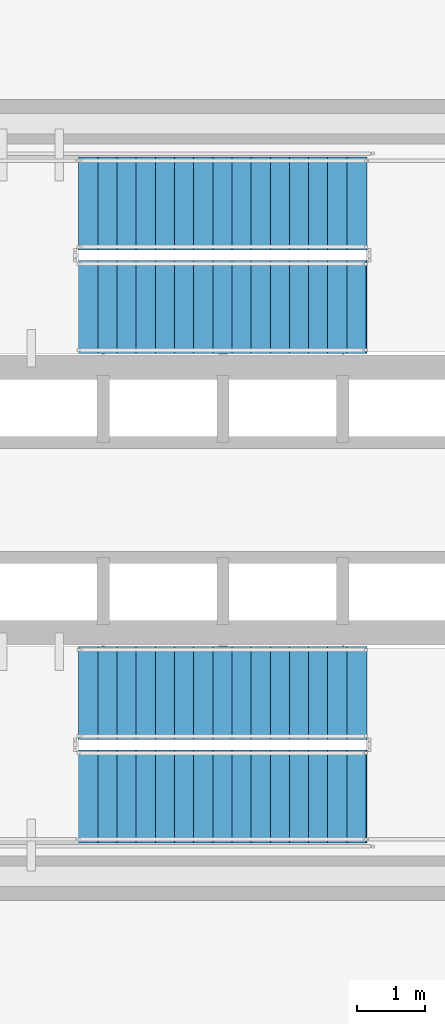
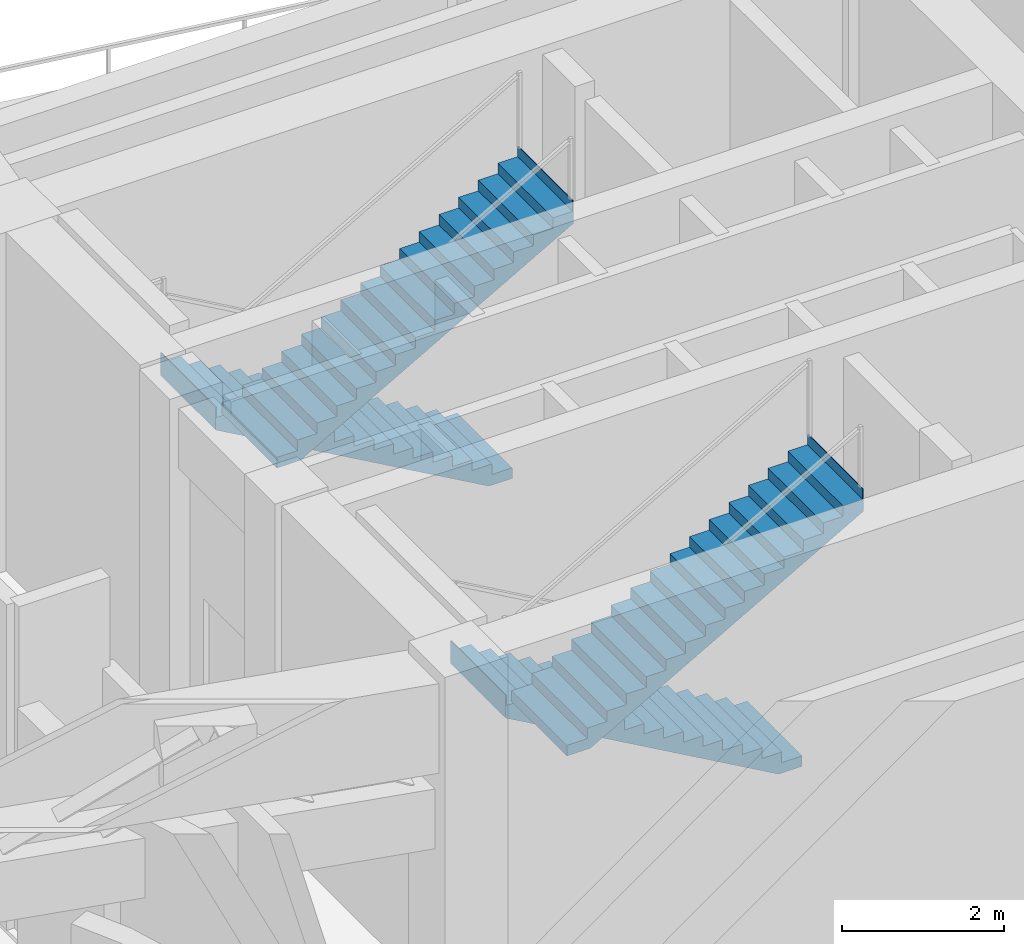
# One storey, part 5 of 8: 4 stair flights, 2 elements without a shape of their own.
"""IFC4 building model written with IfcOpenShell, lengths in metres."""

from ifc_helpers import new_model, si_unit, direction, frame, origin, place, context, subcontext, project, spatial, polyline, outline, extrude, material, type_object, element, aggregate, save


model = new_model("IFC4")

# Units and contexts
model_context = context("Model", 3, precision=1e-05, world=origin(), true_north=direction((0.0, 1.0)))
body_context = subcontext(model_context, "Body", "Model", "MODEL_VIEW")
ifc_project = project(units=[si_unit("LENGTHUNIT", "METRE"), si_unit("AREAUNIT", "SQUARE_METRE"), si_unit("VOLUMEUNIT", "CUBIC_METRE"), si_unit("PLANEANGLEUNIT", "RADIAN"), si_unit("MASSUNIT", "GRAM", prefix="KILO")], contexts=[model_context])

# Site, building, storey
site_placement = place(None, origin())
site = spatial("IfcSite", under=ifc_project, at=site_placement, CompositionType="ELEMENT")
building_placement = place(site_placement, origin())
building = spatial("IfcBuilding", under=site, at=building_placement, Name="Yunling Apex Tower", CompositionType="ELEMENT")
storey_placement = place(building_placement, frame((0.0, 0.0, 119.89990234375)))
storey = spatial("IfcBuildingStorey", under=building, at=storey_placement, Name="RF3", CompositionType="ELEMENT", Elevation=119.89990234375)

# Stair, stair flights
ifc_material = material(Name="Concrete C40", Category="concrete")
stair_type = type_object("IfcStairType", Name="ST-TWR-1", PredefinedType="HALF_TURN_STAIR", material=ifc_material)
stair_1_placement = place(storey_placement, origin())
stair_1 = element("IfcStair", 1, at=stair_1_placement, inside=storey, type_object=stair_type, Name="RF3 North Core Smokeproof Exit Stair ST-1", PredefinedType="HALF_TURN_STAIR")
stair_flight_type = type_object("IfcStairFlightType", Name="SFL-TWR-1", PredefinedType="STRAIGHT", material=ifc_material)
stair_flight_1_placement = place(storey_placement, frame((-0.010009765625, 4.330078125, 0.0), z_axis=(0.0, 0.0, 1.0), x_axis=(-1.0, 0.0, 0.0)))
stair_flight_1 = element("IfcStairFlight", 2, at=stair_flight_1_placement, type_object=stair_flight_type, Name="ST-1 flight 1", NumberOfRisers=16, NumberOfTreads=15, PredefinedType="STRAIGHT", RiserHeight=0.159375, TreadLength=0.28, context=body_context, shape_type="SweptSolid", body=[
    extrude(outline(polyline([(-0.011962890625, 0.0), (-0.011962890625, 0.159423828125), (0.0, 0.159423828125), (0.280029296875, 0.159423828125), (0.280029296875, 0.31884765625), (0.56005859375, 0.31884765625), (0.56005859375, 0.47802734375), (0.840087890625, 0.47802734375), (0.840087890625, 0.637451171875), (1.1201171875, 0.637451171875), (1.1201171875, 0.796875), (1.39990234375, 0.796875), (1.39990234375, 0.956298828125), (1.679931640625, 0.956298828125), (1.679931640625, 1.11572265625), (1.9599609375, 1.11572265625), (1.9599609375, 1.27490234375), (2.239990234375, 1.27490234375), (2.239990234375, 1.434326171875), (2.52001953125, 1.434326171875), (2.52001953125, 1.59375), (2.800048828125, 1.59375), (2.800048828125, 1.753173828125), (3.080078125, 1.753173828125), (3.080078125, 1.91259765625), (3.360107421875, 1.91259765625), (3.360107421875, 2.07177734375), (3.639892578125, 2.07177734375), (3.639892578125, 2.231201171875), (3.919921875, 2.231201171875), (3.919921875, 2.390625), (4.199951171875, 2.390625), (4.199951171875, 2.550048828125), (4.2119140625, 2.550048828125), (4.2119140625, 2.20654296875), (0.3232421875, 0.0), (-0.011962890625, 0.0)])), frame((0.0, 0.68017578125, 0.0), z_axis=(0.0, -1.0, 0.0), x_axis=(1.0, 0.0, 0.0)), (0.0, 0.0, 1.0), 1.360107421875),
])
stair_flight_2_placement = place(storey_placement, frame((-4.2099609375, 2.820068359375, 2.550048828125), z_axis=(0.0, 0.0, 1.0), x_axis=(1.0, 0.0, 0.0)))
stair_flight_2 = element("IfcStairFlight", 3, at=stair_flight_2_placement, type_object=stair_flight_type, Name="ST-1 flight 2", NumberOfRisers=16, NumberOfTreads=15, PredefinedType="STRAIGHT", RiserHeight=0.159375, TreadLength=0.28, context=body_context, shape_type="SweptSolid", body=[
    extrude(outline(polyline([(-0.011962890625, 0.0), (-0.011962890625, 0.159423828125), (0.0, 0.159423828125), (0.280029296875, 0.159423828125), (0.280029296875, 0.31884765625), (0.56005859375, 0.31884765625), (0.56005859375, 0.47802734375), (0.840087890625, 0.47802734375), (0.840087890625, 0.637451171875), (1.1201171875, 0.637451171875), (1.1201171875, 0.796875), (1.39990234375, 0.796875), (1.39990234375, 0.956298828125), (1.679931640625, 0.956298828125), (1.679931640625, 1.11572265625), (1.9599609375, 1.11572265625), (1.9599609375, 1.27490234375), (2.239990234375, 1.27490234375), (2.239990234375, 1.434326171875), (2.52001953125, 1.434326171875), (2.52001953125, 1.59375), (2.800048828125, 1.59375), (2.800048828125, 1.753173828125), (3.080078125, 1.753173828125), (3.080078125, 1.91259765625), (3.360107421875, 1.91259765625), (3.360107421875, 2.07177734375), (3.639892578125, 2.07177734375), (3.639892578125, 2.231201171875), (3.919921875, 2.231201171875), (3.919921875, 2.390625), (4.199951171875, 2.390625), (4.199951171875, 2.550048828125), (4.2119140625, 2.550048828125), (4.2119140625, 2.20654296875), (0.3232421875, 0.0), (-0.011962890625, 0.0)])), frame((0.0, 0.68017578125, 0.0), z_axis=(0.0, -1.0, 0.0), x_axis=(1.0, 0.0, 0.0)), (0.0, 0.0, 1.0), 1.360107421875),
])
aggregate(stair_1, [stair_flight_1, stair_flight_2])

stair_2_placement = place(storey_placement, origin())
stair_2 = element("IfcStair", 4, at=stair_2_placement, inside=storey, type_object=stair_type, Name="RF3 South Core Smokeproof Exit Stair ST-2", PredefinedType="HALF_TURN_STAIR")
stair_flight_3_placement = place(storey_placement, frame((-0.010009765625, -2.820068359375, 0.0), z_axis=(0.0, 0.0, 1.0), x_axis=(-1.0, 0.0, 0.0)))
stair_flight_3 = element("IfcStairFlight", 5, at=stair_flight_3_placement, type_object=stair_flight_type, Name="ST-2 flight 1", NumberOfRisers=16, NumberOfTreads=15, PredefinedType="STRAIGHT", RiserHeight=0.159375, TreadLength=0.28, context=body_context, shape_type="SweptSolid", body=[
    extrude(outline(polyline([(-0.011962890625, 0.0), (-0.011962890625, 0.159423828125), (0.0, 0.159423828125), (0.280029296875, 0.159423828125), (0.280029296875, 0.31884765625), (0.56005859375, 0.31884765625), (0.56005859375, 0.47802734375), (0.840087890625, 0.47802734375), (0.840087890625, 0.637451171875), (1.1201171875, 0.637451171875), (1.1201171875, 0.796875), (1.39990234375, 0.796875), (1.39990234375, 0.956298828125), (1.679931640625, 0.956298828125), (1.679931640625, 1.11572265625), (1.9599609375, 1.11572265625), (1.9599609375, 1.27490234375), (2.239990234375, 1.27490234375), (2.239990234375, 1.434326171875), (2.52001953125, 1.434326171875), (2.52001953125, 1.59375), (2.800048828125, 1.59375), (2.800048828125, 1.753173828125), (3.080078125, 1.753173828125), (3.080078125, 1.91259765625), (3.360107421875, 1.91259765625), (3.360107421875, 2.07177734375), (3.639892578125, 2.07177734375), (3.639892578125, 2.231201171875), (3.919921875, 2.231201171875), (3.919921875, 2.390625), (4.199951171875, 2.390625), (4.199951171875, 2.550048828125), (4.2119140625, 2.550048828125), (4.2119140625, 2.20654296875), (0.3232421875, 0.0), (-0.011962890625, 0.0)])), frame((0.0, 0.68017578125, 0.0), z_axis=(0.0, -1.0, 0.0), x_axis=(1.0, 0.0, 0.0)), (0.0, 0.0, 1.0), 1.360107421875),
])
stair_flight_4_placement = place(storey_placement, frame((-4.2099609375, -4.330078125, 2.550048828125), z_axis=(0.0, 0.0, 1.0), x_axis=(1.0, 0.0, 0.0)))
stair_flight_4 = element("IfcStairFlight", 6, at=stair_flight_4_placement, type_object=stair_flight_type, Name="ST-2 flight 2", NumberOfRisers=16, NumberOfTreads=15, PredefinedType="STRAIGHT", RiserHeight=0.159375, TreadLength=0.28, context=body_context, shape_type="SweptSolid", body=[
    extrude(outline(polyline([(-0.011962890625, 0.0), (-0.011962890625, 0.159423828125), (0.0, 0.159423828125), (0.280029296875, 0.159423828125), (0.280029296875, 0.31884765625), (0.56005859375, 0.31884765625), (0.56005859375, 0.47802734375), (0.840087890625, 0.47802734375), (0.840087890625, 0.637451171875), (1.1201171875, 0.637451171875), (1.1201171875, 0.796875), (1.39990234375, 0.796875), (1.39990234375, 0.956298828125), (1.679931640625, 0.956298828125), (1.679931640625, 1.11572265625), (1.9599609375, 1.11572265625), (1.9599609375, 1.27490234375), (2.239990234375, 1.27490234375), (2.239990234375, 1.434326171875), (2.52001953125, 1.434326171875), (2.52001953125, 1.59375), (2.800048828125, 1.59375), (2.800048828125, 1.753173828125), (3.080078125, 1.753173828125), (3.080078125, 1.91259765625), (3.360107421875, 1.91259765625), (3.360107421875, 2.07177734375), (3.639892578125, 2.07177734375), (3.639892578125, 2.231201171875), (3.919921875, 2.231201171875), (3.919921875, 2.390625), (4.199951171875, 2.390625), (4.199951171875, 2.550048828125), (4.2119140625, 2.550048828125), (4.2119140625, 2.20654296875), (0.3232421875, 0.0), (-0.011962890625, 0.0)])), frame((0.0, 0.68017578125, 0.0), z_axis=(0.0, -1.0, 0.0), x_axis=(1.0, 0.0, 0.0)), (0.0, 0.0, 1.0), 1.360107421875),
])
aggregate(stair_2, [stair_flight_3, stair_flight_4])

save(model, "model.ifc")
